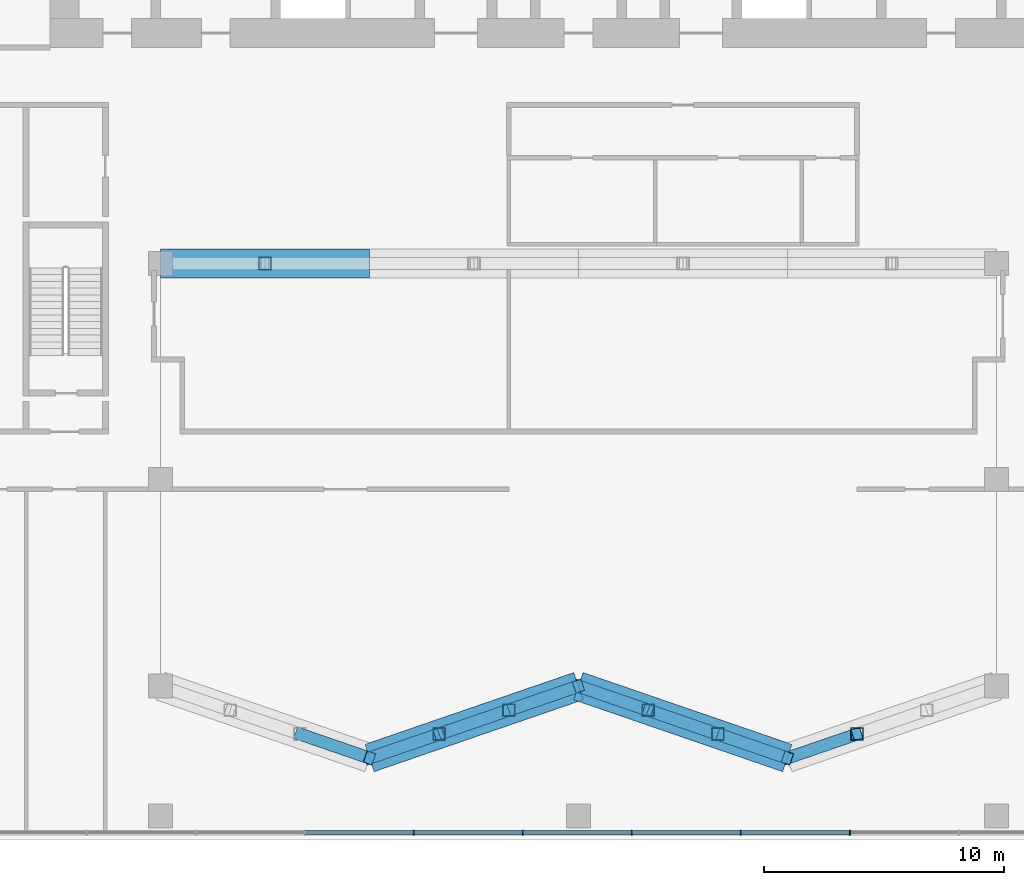
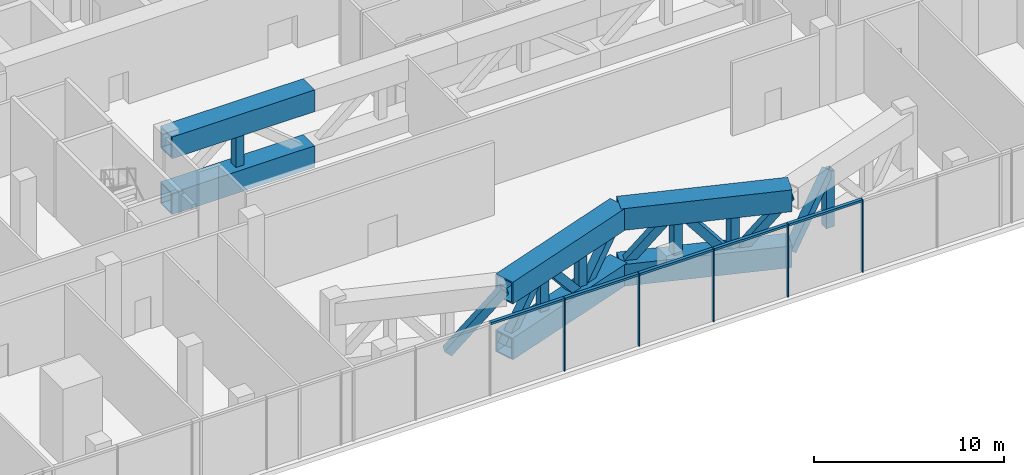
# One storey, part 4 of 22: 27 members, 3 beams, 1 element without a shape of its own.
"""IFC4 building model written with IfcOpenShell, lengths in metres."""

import ifcopenshell
import ifcopenshell.guid

model = None  # the IFC model being written
_history = None  # IfcOwnerHistory: only IFC2X3 demands one
_inside = {}  # id of a spatial element -> (the spatial element, [elements in it])
_under = {}  # id of a project, library or spatial element -> (it, [spatial elements below it])
_declared = {}  # id of a project -> (the project, [libraries it declares])
_typed = {}  # id of a type object -> (the type object, [elements of that type])
_made_of = {}  # id of a material, layer set ... -> (it, [elements and type objects made of it])


def new_model(schema):
    """Start an empty IFC model of exactly this schema.

    Asked for "IFC4X3", IfcOpenShell would pick the latest addendum, in which some entities
    have other attributes; the version numbers below select the first issue.
    IFC2X3 requires an IfcOwnerHistory on every rooted entity: one is made here for all.
    """
    global model, _history
    if schema == "IFC4X3":
        model = ifcopenshell.file(schema_version=(4, 3, 0, 0))
    else:
        model = ifcopenshell.file(schema=schema)
    _inside.clear()
    _under.clear()
    _declared.clear()
    _typed.clear()
    _made_of.clear()
    _history = None
    if model.schema == "IFC2X3":
        org = make("IfcOrganization", Name="unknown")
        user = make(
            "IfcPersonAndOrganization",
            ThePerson=make("IfcPerson", FamilyName="unknown"),
            TheOrganization=org,
        )
        app = make(
            "IfcApplication",
            ApplicationDeveloper=org,
            Version="unknown",
            ApplicationFullName="unknown",
            ApplicationIdentifier="unknown",
        )
        _history = make(
            "IfcOwnerHistory",
            OwningUser=user,
            OwningApplication=app,
            ChangeAction="ADDED",
            CreationDate=0,
        )
    return model


def make(cls, **values):
    """One entity of the class cls with the attributes given. An attribute that is None is left unset."""
    return model.create_entity(
        cls, **{name: value for name, value in values.items() if value is not None}
    )


def rooted(cls, **values):
    """An entity with a GlobalId (a new one), such as an element, a storey or a relation."""
    return make(cls, GlobalId=ifcopenshell.guid.new(), OwnerHistory=_history, **values)


def si_unit(unit_type, name, prefix=None):
    """IfcSIUnit, for example si_unit("LENGTHUNIT", "METRE", prefix="MILLI")."""
    return make("IfcSIUnit", UnitType=unit_type, Prefix=prefix, Name=name)


def assignment(units):
    """IfcUnitAssignment: the units of a project."""
    return None if units is None else make("IfcUnitAssignment", Units=units)


def point(xyz):
    """IfcCartesianPoint."""
    return None if xyz is None else make("IfcCartesianPoint", Coordinates=xyz)


def direction(xyz):
    """IfcDirection."""
    return None if xyz is None else make("IfcDirection", DirectionRatios=xyz)


def frame(location, z_axis=None, x_axis=None):
    """IfcAxis2Placement3D, a coordinate frame: its origin and axes. An axis left out is left unset."""
    return make(
        "IfcAxis2Placement3D",
        Location=point(location),
        Axis=direction(z_axis),
        RefDirection=direction(x_axis),
    )


def frame_2d(location, x_axis=None):
    """IfcAxis2Placement2D, a coordinate frame in the plane: its origin and x axis."""
    return make(
        "IfcAxis2Placement2D", Location=point(location), RefDirection=direction(x_axis)
    )


def origin():
    """The frame at (0, 0, 0) with its axes left unset."""
    return frame((0.0, 0.0, 0.0))


def origin_2d():
    """The frame at (0, 0) in the plane with its x axis left unset."""
    return frame_2d((0.0, 0.0))


def place(relative_to, where):
    """IfcLocalPlacement: puts the frame where relative to a parent placement (None: the world)."""
    return make(
        "IfcLocalPlacement", PlacementRelTo=relative_to, RelativePlacement=where
    )


def context(
    kind, dimensions, precision=None, world=None, true_north=None, identifier=None
):
    """IfcGeometricRepresentationContext, for example the 3D "Model" context."""
    return make(
        "IfcGeometricRepresentationContext",
        ContextIdentifier=identifier,
        ContextType=kind,
        CoordinateSpaceDimension=dimensions,
        Precision=precision,
        WorldCoordinateSystem=world,
        TrueNorth=true_north,
    )


def subcontext(parent, identifier, kind, view, scale=None):
    """IfcGeometricRepresentationSubContext, for example "Body" below "Model"."""
    return make(
        "IfcGeometricRepresentationSubContext",
        ContextIdentifier=identifier,
        ContextType=kind,
        ParentContext=parent,
        TargetScale=scale,
        TargetView=view,
    )


def project(units=None, contexts=None):
    """IfcProject with its units and contexts."""
    return rooted(
        "IfcProject",
        Name="project",
        RepresentationContexts=contexts,
        UnitsInContext=assignment(units),
    )


def spatial(cls, under=None, at=None, **own):
    """A site, building, storey or space (cls), placed at a placement, below another one or the project."""
    s = rooted(cls, ObjectPlacement=at, **own)
    if under is not None:
        _under.setdefault(under.id(), (under, []))[1].append(s)
    return s


def profile(cls, at=None, kind="AREA", **sizes):
    """A parametric profile (cls). Its sizes go by their IFC names, for example OverallWidth=200.0."""
    return make(cls, ProfileType=kind, Position=at, **sizes)


def rectangle(**sizes):
    """IfcRectangleProfileDef."""
    return profile("IfcRectangleProfileDef", **sizes)


def hollow_rectangle(**sizes):
    """IfcRectangleHollowProfileDef."""
    return profile("IfcRectangleHollowProfileDef", **sizes)


def extrude(swept, where, along, depth):
    """IfcExtrudedAreaSolid: the profile swept, set in the frame where, extruded along a direction by depth."""
    return make(
        "IfcExtrudedAreaSolid",
        SweptArea=swept,
        Position=where,
        ExtrudedDirection=direction(along),
        Depth=depth,
    )


def shape(context_of_items, identifier, shape_type, items):
    """IfcShapeRepresentation: the items that make up one representation, for example the "Body"."""
    return make(
        "IfcShapeRepresentation",
        ContextOfItems=context_of_items,
        RepresentationIdentifier=identifier,
        RepresentationType=shape_type,
        Items=items,
    )


def material(Name=None, Category=None):
    """IfcMaterial."""
    return make("IfcMaterial", Name=Name, Category=Category)


def material_profile(
    of_material, cross_section, Name=None, Category=None, Priority=None
):
    """IfcMaterialProfile: a cross section and its material."""
    return make(
        "IfcMaterialProfile",
        Name=Name,
        Material=of_material,
        Profile=cross_section,
        Priority=Priority,
        Category=Category,
    )


def profile_set(profiles, Name=None, composite=None):
    """IfcMaterialProfileSet."""
    return make(
        "IfcMaterialProfileSet",
        Name=Name,
        MaterialProfiles=profiles,
        CompositeProfile=composite,
    )


def made_of(thing, what):
    """Note that an element or type object is made of a material, layer set ...; save() writes the relation."""
    if what is not None:
        _made_of.setdefault(what.id(), (what, []))[1].append(thing)
    return thing


def type_object(cls, material=None, **own):
    """A type object (cls), such as IfcWallType, which elements share."""
    return made_of(rooted(cls, **own), material)


def element(
    cls,
    number,
    at=None,
    inside=None,
    cuts=None,
    type_object=None,
    material=None,
    context=None,
    identifier="Body",
    shape_type=None,
    held_by="IfcProductDefinitionShape",
    body=None,
    shapes=None,
    **own,
):
    """One element of the class cls, such as IfcWall. Its Tag is "e" and its number.

    at: its placement. inside: the storey or other place that contains it. cuts: it is an
    opening in that element (IfcRelVoidsElement). A single representation is given by context,
    identifier, shape_type and body (its items); several are given by shapes. held_by: the class
    of the entity that holds the representations. save() writes the other relations.
    """
    e = rooted(cls, Tag="e%d" % number, ObjectPlacement=at, **own)
    if body is not None:
        shapes = [shape(context, identifier, shape_type, body)]
    if shapes is not None:
        e.Representation = make(held_by, Representations=shapes)
    if inside is not None:
        _inside.setdefault(inside.id(), (inside, []))[1].append(e)
    if cuts is not None:
        rooted(
            "IfcRelVoidsElement", RelatingBuildingElement=cuts, RelatedOpeningElement=e
        )
    if type_object is not None:
        _typed.setdefault(type_object.id(), (type_object, []))[1].append(e)
    return made_of(e, material)


def aggregate(whole, parts):
    """IfcRelAggregates: a whole, such as a stair, and the parts it consists of."""
    return rooted("IfcRelAggregates", RelatingObject=whole, RelatedObjects=parts)


def save(model, path):
    """Write the relations noted so far, then the file.

    IfcRelAggregates (storeys below a building ...), IfcRelContainedInSpatialStructure (elements
    in a storey), IfcRelDefinesByType, IfcRelAssociatesMaterial and IfcRelDeclares: one each for
    every whole, place, type object, material and project.
    """
    for whole, parts in _under.values():
        aggregate(whole, parts)
    for where, things in _inside.values():
        rooted(
            "IfcRelContainedInSpatialStructure",
            RelatedElements=things,
            RelatingStructure=where,
        )
    for kind, things in _typed.values():
        rooted("IfcRelDefinesByType", RelatedObjects=things, RelatingType=kind)
    for what, things in _made_of.values():
        rooted("IfcRelAssociatesMaterial", RelatedObjects=things, RelatingMaterial=what)
    for by, libraries in _declared.values():
        rooted("IfcRelDeclares", RelatingContext=by, RelatedDefinitions=libraries)
    model.write(path)


model = new_model("IFC4")

# Units and contexts
model_context = context("Model", 3, precision=1e-05, world=origin(), true_north=direction((0.0, 1.0)))
body_context = subcontext(model_context, "Body", "Model", "MODEL_VIEW")
ifc_project = project(units=[si_unit("LENGTHUNIT", "METRE"), si_unit("AREAUNIT", "SQUARE_METRE"), si_unit("VOLUMEUNIT", "CUBIC_METRE"), si_unit("PLANEANGLEUNIT", "RADIAN"), si_unit("MASSUNIT", "GRAM", prefix="KILO")], contexts=[model_context])

# Site, building, storey
site_placement = place(None, origin())
site = spatial("IfcSite", under=ifc_project, at=site_placement, CompositionType="ELEMENT")
building_placement = place(site_placement, origin())
building = spatial("IfcBuilding", under=site, at=building_placement, Name="Bicima Exchange Tower", CompositionType="ELEMENT")
storey_placement = place(building_placement, frame((0.0, 0.0, 20.0)))
storey = spatial("IfcBuildingStorey", under=building, at=storey_placement, Name="L03", CompositionType="ELEMENT", Elevation=20.0)

# Curtain wall, members
ifc_material_1 = material(Name="Anodised bronze aluminium", Category="aluminium")
curtain_wall_type = type_object("IfcCurtainWallType", Name="Lobby glazing", PredefinedType="NOTDEFINED", material=ifc_material_1)
curtain_wall_placement = place(storey_placement, origin())
curtain_wall = element("IfcCurtainWall", 1, at=curtain_wall_placement, inside=storey, type_object=curtain_wall_type, Name="Podium glazing L03 south 1", PredefinedType="NOTDEFINED")
ifc_material_profile_1 = material_profile(ifc_material_1, rectangle(XDim=0.199951171875, YDim=0.06005859375, at=origin_2d()))
ifc_profile_set_1 = profile_set([ifc_material_profile_1], Name="Anodised bronze aluminium")
member_type_1 = type_object("IfcMemberType", Name="Lobby glazing mullion 60 x 200", PredefinedType="MULLION", material=ifc_profile_set_1)
member_1_placement = place(storey_placement, frame((-6.8583984375, -45.699951171875, 0.0), z_axis=(0.0, 0.0, 1.0), x_axis=(0.0, 1.0, 0.0)))
member_1 = element("IfcMember", 2, at=member_1_placement, type_object=member_type_1, Name="Lobby glazing mullion 9", PredefinedType="MULLION", context=body_context, shape_type="SweptSolid", body=[
    extrude(rectangle(XDim=0.199951171875, YDim=0.06005859375, at=origin_2d()), origin(), (0.0, 0.0, 1.0), 4.699951171875),
])
member_2_placement = place(storey_placement, frame((-2.319580078125, -45.699951171875, 0.0), z_axis=(0.0, 0.0, 1.0), x_axis=(0.0, 1.0, 0.0)))
member_2 = element("IfcMember", 3, at=member_2_placement, type_object=member_type_1, Name="Lobby glazing mullion 10", PredefinedType="MULLION", context=body_context, shape_type="SweptSolid", body=[
    extrude(rectangle(XDim=0.199951171875, YDim=0.06005859375, at=origin_2d()), origin(), (0.0, 0.0, 1.0), 4.699951171875),
])
member_3_placement = place(storey_placement, frame((2.219482421875, -45.699951171875, 0.0), z_axis=(0.0, 0.0, 1.0), x_axis=(0.0, 1.0, 0.0)))
member_3 = element("IfcMember", 4, at=member_3_placement, type_object=member_type_1, Name="Lobby glazing mullion 11", PredefinedType="MULLION", context=body_context, shape_type="SweptSolid", body=[
    extrude(rectangle(XDim=0.199951171875, YDim=0.06005859375, at=origin_2d()), origin(), (0.0, 0.0, 1.0), 4.699951171875),
])
member_4_placement = place(storey_placement, frame((6.75830078125, -45.699951171875, 0.0), z_axis=(0.0, 0.0, 1.0), x_axis=(0.0, 1.0, 0.0)))
member_4 = element("IfcMember", 5, at=member_4_placement, type_object=member_type_1, Name="Lobby glazing mullion 12", PredefinedType="MULLION", context=body_context, shape_type="SweptSolid", body=[
    extrude(rectangle(XDim=0.199951171875, YDim=0.06005859375, at=origin_2d()), origin(), (0.0, 0.0, 1.0), 4.699951171875),
])
member_5_placement = place(storey_placement, frame((11.29736328125, -45.699951171875, 0.0), z_axis=(0.0, 0.0, 1.0), x_axis=(0.0, 1.0, 0.0)))
member_5 = element("IfcMember", 6, at=member_5_placement, type_object=member_type_1, Name="Lobby glazing mullion 13", PredefinedType="MULLION", context=body_context, shape_type="SweptSolid", body=[
    extrude(rectangle(XDim=0.199951171875, YDim=0.06005859375, at=origin_2d()), origin(), (0.0, 0.0, 1.0), 4.699951171875),
])
ifc_material_profile_2 = material_profile(ifc_material_1, rectangle(XDim=0.199951171875, YDim=0.139892578125, at=origin_2d()))
ifc_profile_set_2 = profile_set([ifc_material_profile_2], Name="Anodised bronze aluminium")
member_type_2 = type_object("IfcMemberType", Name="Lobby glazing transom 140 x 200", PredefinedType="USERDEFINED", material=ifc_profile_set_2)
member_6_placement = place(storey_placement, frame((-11.367431640625, -45.699951171875, 4.6298828125), z_axis=(1.0, 0.0, 0.0), x_axis=(0.0, 1.0, 0.0)))
member_6 = element("IfcMember", 7, at=member_6_placement, type_object=member_type_2, Name="Lobby glazing transom 8.1", ObjectType="TRANSOM", PredefinedType="USERDEFINED", context=body_context, shape_type="SweptSolid", body=[
    extrude(rectangle(XDim=0.199951171875, YDim=0.139892578125, at=origin_2d()), origin(), (0.0, 0.0, 1.0), 4.47900390625),
])
member_7_placement = place(storey_placement, frame((-6.828369140625, -45.699951171875, 4.6298828125), z_axis=(1.0, 0.0, 0.0), x_axis=(0.0, 1.0, 0.0)))
member_7 = element("IfcMember", 8, at=member_7_placement, type_object=member_type_2, Name="Lobby glazing transom 9.1", ObjectType="TRANSOM", PredefinedType="USERDEFINED", context=body_context, shape_type="SweptSolid", body=[
    extrude(rectangle(XDim=0.199951171875, YDim=0.139892578125, at=origin_2d()), origin(), (0.0, 0.0, 1.0), 4.478759765625),
])
member_8_placement = place(storey_placement, frame((-2.28955078125, -45.699951171875, 4.6298828125), z_axis=(1.0, 0.0, 0.0), x_axis=(0.0, 1.0, 0.0)))
member_8 = element("IfcMember", 9, at=member_8_placement, type_object=member_type_2, Name="Lobby glazing transom 10.1", ObjectType="TRANSOM", PredefinedType="USERDEFINED", context=body_context, shape_type="SweptSolid", body=[
    extrude(rectangle(XDim=0.199951171875, YDim=0.139892578125, at=origin_2d()), origin(), (0.0, 0.0, 1.0), 4.47900390625),
])
member_9_placement = place(storey_placement, frame((2.24951171875, -45.699951171875, 4.6298828125), z_axis=(1.0, 0.0, 0.0), x_axis=(0.0, 1.0, 0.0)))
member_9 = element("IfcMember", 10, at=member_9_placement, type_object=member_type_2, Name="Lobby glazing transom 11.1", ObjectType="TRANSOM", PredefinedType="USERDEFINED", context=body_context, shape_type="SweptSolid", body=[
    extrude(rectangle(XDim=0.199951171875, YDim=0.139892578125, at=origin_2d()), origin(), (0.0, 0.0, 1.0), 4.47900390625),
])
member_10_placement = place(storey_placement, frame((6.788330078125, -45.699951171875, 4.6298828125), z_axis=(1.0, 0.0, 0.0), x_axis=(0.0, 1.0, 0.0)))
member_10 = element("IfcMember", 11, at=member_10_placement, type_object=member_type_2, Name="Lobby glazing transom 12.1", ObjectType="TRANSOM", PredefinedType="USERDEFINED", context=body_context, shape_type="SweptSolid", body=[
    extrude(rectangle(XDim=0.199951171875, YDim=0.139892578125, at=origin_2d()), origin(), (0.0, 0.0, 1.0), 4.47900390625),
])
aggregate(curtain_wall, [member_1, member_2, member_3, member_4, member_5, member_6, member_7, member_8, member_9, member_10])

# Members
ifc_material_2 = material(Name="Steel ASTM A572 Gr 50", Category="steel")
ifc_material_profile_3 = material_profile(ifc_material_2, hollow_rectangle(XDim=1.199951171875, YDim=1.39990234375, WallThickness=0.080078125, at=origin_2d()))
ifc_profile_set_3 = profile_set([ifc_material_profile_3], Name="Steel ASTM A572 Gr 50")
member_type_3 = type_object("IfcMemberType", Name="Transfer truss chord BOX 1200x1400x80", PredefinedType="CHORD", material=ifc_profile_set_3)
member_11_placement = place(storey_placement, frame((-17.39990234375, -22.0, 0.39990234375), z_axis=(1.0, 0.0, 0.0), x_axis=(0.0, 1.0, 0.0)))
element("IfcMember", 12, at=member_11_placement, inside=storey, type_object=member_type_3, Name="Bottom chord", PredefinedType="CHORD", context=body_context, shape_type="SweptSolid", body=[
    extrude(hollow_rectangle(XDim=1.199951171875, YDim=1.39990234375, WallThickness=0.080078125, at=origin_2d()), origin(), (0.0, 0.0, 1.0), 8.699951171875),
])
for number, where, z_axis, x_axis, name in (
    (13, (-8.699951171875, -42.591064453125, 0.39990234375), (0.945674616091, 0.32511462668, 0.0), (-0.32511462668, 0.945674616091, 0.0), "Bottom chord"),
    (14, (0.0, -39.60009765625, 0.39990234375), (0.945674616091, -0.32511462668, 0.0), (0.32511462668, 0.945674616091, 0.0), "Bottom chord"),
):
    element("IfcMember", number, at=place(storey_placement, frame(where, z_axis=z_axis, x_axis=x_axis)), inside=storey, type_object=member_type_3, Name=name, PredefinedType="CHORD", context=body_context, shape_type="SweptSolid", body=[
        extrude(hollow_rectangle(XDim=1.199951171875, YDim=1.39990234375, WallThickness=0.080078125, at=origin_2d()), origin(), (0.0, 0.0, 1.0), 9.19970703125),
    ])
ifc_material_profile_4 = material_profile(ifc_material_2, hollow_rectangle(XDim=0.508056640625, YDim=0.508056640625, WallThickness=0.017822265625, at=origin_2d()))
ifc_profile_set_4 = profile_set([ifc_material_profile_4], Name="Steel ASTM A572 Gr 50")
member_type_4 = type_object("IfcMemberType", Name="Transfer truss diagonal HSS20x20x3/4", PredefinedType="STRUT", material=ifc_profile_set_4)
member_12_placement = place(storey_placement, frame((-11.60009765625, -41.593994140625, 0.39990234375), z_axis=(0.613237447911, -0.210831024267, 0.761242478903), x_axis=(0.325122040768, 0.94567206716, 0.0)))
element("IfcMember", 15, at=member_12_placement, inside=storey, type_object=member_type_4, Name="Truss diagonal", PredefinedType="STRUT", context=body_context, shape_type="SweptSolid", body=[
    extrude(hollow_rectangle(XDim=0.508056640625, YDim=0.508056640625, WallThickness=0.017822265625, at=origin_2d()), origin(), (0.0, 0.0, 1.0), 4.729248046875),
])
member_13_placement = place(storey_placement, frame((-8.699951171875, -42.591064453125, 0.39990234375), z_axis=(0.613205236324, 0.210837698699, 0.761266578113), x_axis=(-0.325146518908, 0.945663651222, 0.0)))
element("IfcMember", 16, at=member_13_placement, inside=storey, type_object=member_type_4, Name="Truss diagonal", PredefinedType="STRUT", context=body_context, shape_type="SweptSolid", body=[
    extrude(hollow_rectangle(XDim=0.508056640625, YDim=0.508056640625, WallThickness=0.017822265625, at=origin_2d()), origin(), (0.0, 0.0, 1.0), 4.72900390625),
])
member_14_placement = place(storey_placement, frame((-5.800048828125, -41.593994140625, 4.0), z_axis=(0.613237447911, 0.210831024267, -0.761242478903), x_axis=(-0.325122040768, 0.94567206716, 0.0)))
element("IfcMember", 17, at=member_14_placement, inside=storey, type_object=member_type_4, Name="Truss diagonal", PredefinedType="STRUT", context=body_context, shape_type="SweptSolid", body=[
    extrude(hollow_rectangle(XDim=0.508056640625, YDim=0.508056640625, WallThickness=0.017822265625, at=origin_2d()), origin(), (0.0, 0.0, 1.0), 4.729248046875),
])
for number, where, z_axis, x_axis, name in (
    (18, (-2.89990234375, -40.596923828125, 0.39990234375), (0.613211910084, 0.210788367475, 0.761274863284), (-0.325075318312, 0.945688129049, 0.0), "Truss diagonal"),
    (19, (0.0, -39.60009765625, 0.39990234375), (0.613211910084, -0.210788367475, 0.761274863284), (0.325075318312, 0.945688129049, 0.0), "Truss diagonal"),
):
    element("IfcMember", number, at=place(storey_placement, frame(where, z_axis=z_axis, x_axis=x_axis)), inside=storey, type_object=member_type_4, Name=name, PredefinedType="STRUT", context=body_context, shape_type="SweptSolid", body=[
        extrude(hollow_rectangle(XDim=0.508056640625, YDim=0.508056640625, WallThickness=0.017822265625, at=origin_2d()), origin(), (0.0, 0.0, 1.0), 4.72900390625),
    ])
member_15_placement = place(storey_placement, frame((2.89990234375, -40.596923828125, 4.0), z_axis=(0.613237447911, -0.210831024267, -0.761242478903), x_axis=(0.325122040768, 0.94567206716, 0.0)))
element("IfcMember", 20, at=member_15_placement, inside=storey, type_object=member_type_4, Name="Truss diagonal", PredefinedType="STRUT", context=body_context, shape_type="SweptSolid", body=[
    extrude(hollow_rectangle(XDim=0.508056640625, YDim=0.508056640625, WallThickness=0.017822265625, at=origin_2d()), origin(), (0.0, 0.0, 1.0), 4.729248046875),
])
member_16_placement = place(storey_placement, frame((5.800048828125, -41.593994140625, 0.39990234375), z_axis=(0.613205236324, -0.210837698699, 0.761266578113), x_axis=(0.325146518908, 0.945663651222, 0.0)))
element("IfcMember", 21, at=member_16_placement, inside=storey, type_object=member_type_4, Name="Truss diagonal", PredefinedType="STRUT", context=body_context, shape_type="SweptSolid", body=[
    extrude(hollow_rectangle(XDim=0.508056640625, YDim=0.508056640625, WallThickness=0.017822265625, at=origin_2d()), origin(), (0.0, 0.0, 1.0), 4.72900390625),
])
member_17_placement = place(storey_placement, frame((8.699951171875, -42.591064453125, 0.39990234375), z_axis=(0.613237447911, 0.210831024267, 0.761242478903), x_axis=(-0.325122040768, 0.94567206716, 0.0)))
element("IfcMember", 22, at=member_17_placement, inside=storey, type_object=member_type_4, Name="Truss diagonal", PredefinedType="STRUT", context=body_context, shape_type="SweptSolid", body=[
    extrude(hollow_rectangle(XDim=0.508056640625, YDim=0.508056640625, WallThickness=0.017822265625, at=origin_2d()), origin(), (0.0, 0.0, 1.0), 4.729248046875),
])
ifc_material_profile_5 = material_profile(ifc_material_2, hollow_rectangle(XDim=0.508056640625, YDim=0.508056640625, WallThickness=0.0146484375, at=origin_2d()))
ifc_profile_set_5 = profile_set([ifc_material_profile_5], Name="Steel ASTM A572 Gr 50")
member_type_5 = type_object("IfcMemberType", Name="Transfer truss post HSS20x20x5/8", PredefinedType="POST", material=ifc_profile_set_5)
for number, where, z_axis, x_axis, name in (
    (23, (-13.050048828125, -22.0, 0.39990234375), (0.0, 0.0, 1.0), (1.0, 0.0, 0.0), "Truss post"),
    (24, (-5.800048828125, -41.593994140625, 0.39990234375), (0.0, 0.0, 1.0), (1.0, 0.0, 0.0), "Truss post"),
    (25, (-2.89990234375, -40.596923828125, 0.39990234375), (0.0, 0.0, 1.0), (1.0, 0.0, 0.0), "Truss post"),
    (26, (2.89990234375, -40.596923828125, 0.39990234375), (0.0, 0.0, 1.0), (1.0, 0.0, 0.0), "Truss post"),
    (27, (5.800048828125, -41.593994140625, 0.39990234375), (0.0, 0.0, 1.0), (1.0, 0.0, 0.0), "Truss post"),
    (28, (11.60009765625, -41.593994140625, 0.39990234375), (0.0, 0.0, 1.0), (1.0, 0.0, 0.0), "Truss post"),
):
    element("IfcMember", number, at=place(storey_placement, frame(where, z_axis=z_axis, x_axis=x_axis)), inside=storey, type_object=member_type_5, Name=name, PredefinedType="POST", context=body_context, shape_type="SweptSolid", body=[
        extrude(hollow_rectangle(XDim=0.508056640625, YDim=0.508056640625, WallThickness=0.0146484375, at=origin_2d()), origin(), (0.0, 0.0, 1.0), 3.60009765625),
    ])

# Beams
beam_type = type_object("IfcBeamType", Name="Transfer truss top chord BOX 1200x1400x80", PredefinedType="BEAM", material=ifc_profile_set_3)
beam_placement = place(storey_placement, frame((-17.39990234375, -22.0, 4.0), z_axis=(1.0, 0.0, 0.0), x_axis=(0.0, 1.0, 0.0)))
element("IfcBeam", 29, at=beam_placement, inside=storey, type_object=beam_type, Name="Transfer girder", PredefinedType="BEAM", context=body_context, shape_type="SweptSolid", body=[
    extrude(hollow_rectangle(XDim=1.199951171875, YDim=1.39990234375, WallThickness=0.080078125, at=origin_2d()), origin(), (0.0, 0.0, 1.0), 8.699951171875),
])
for number, where, z_axis, x_axis, name in (
    (30, (-8.699951171875, -42.591064453125, 4.0), (0.945674616091, 0.32511462668, 0.0), (-0.32511462668, 0.945674616091, 0.0), "Transfer girder"),
    (31, (0.0, -39.60009765625, 4.0), (0.945674616091, -0.32511462668, 0.0), (0.32511462668, 0.945674616091, 0.0), "Transfer girder"),
):
    element("IfcBeam", number, at=place(storey_placement, frame(where, z_axis=z_axis, x_axis=x_axis)), inside=storey, type_object=beam_type, Name=name, PredefinedType="BEAM", context=body_context, shape_type="SweptSolid", body=[
        extrude(hollow_rectangle(XDim=1.199951171875, YDim=1.39990234375, WallThickness=0.080078125, at=origin_2d()), origin(), (0.0, 0.0, 1.0), 9.19970703125),
    ])

save(model, "model.ifc")
